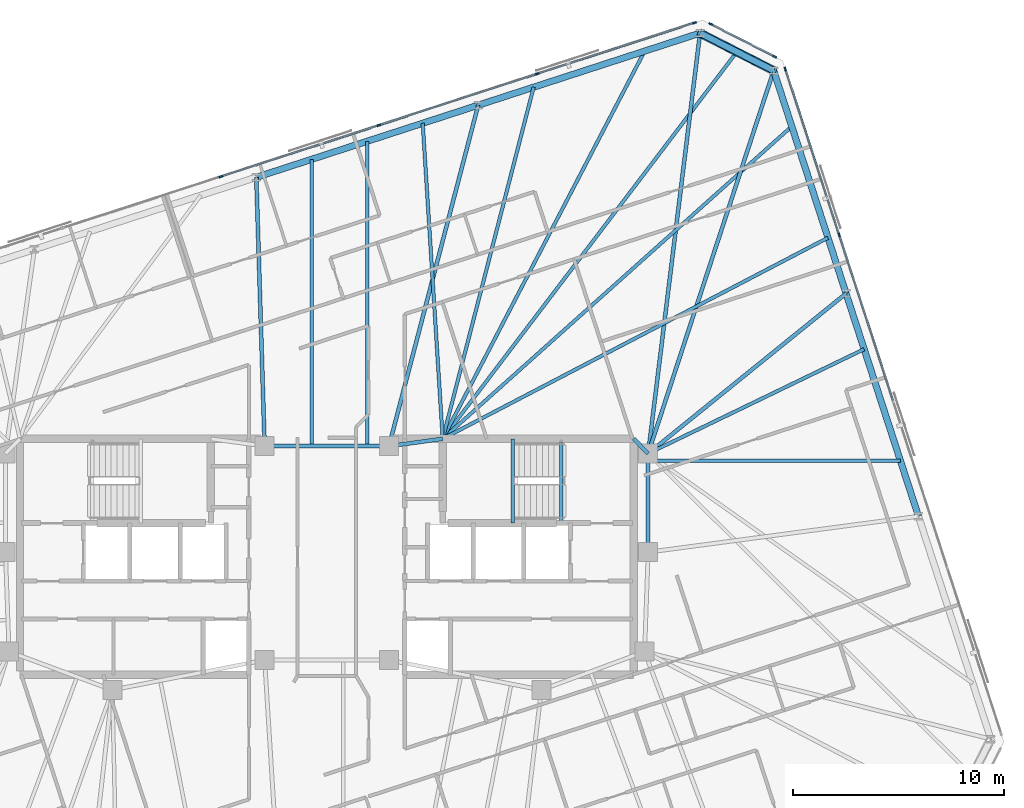
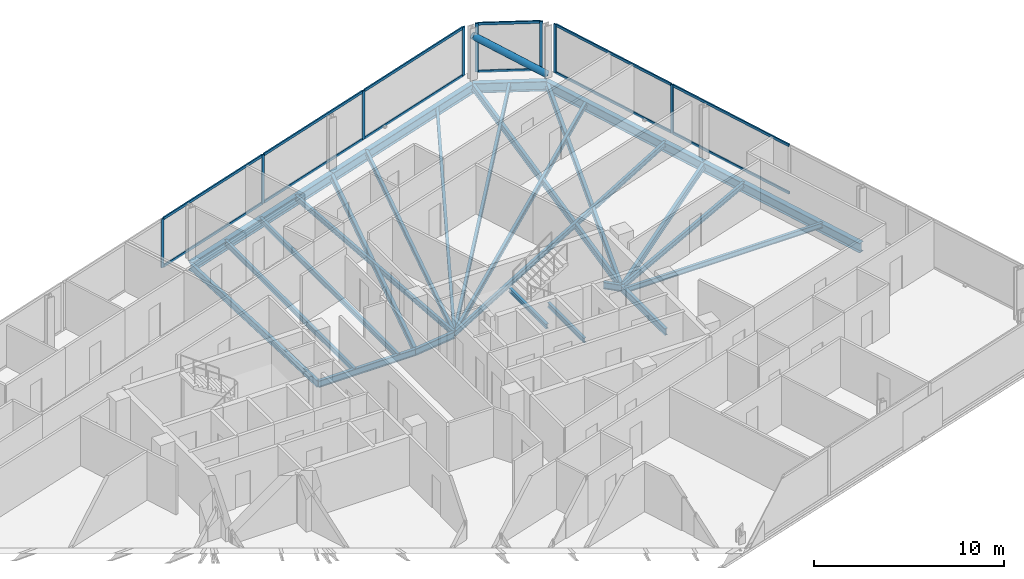
# One storey, part 10 of 20: 26 beams, 21 members, 3 elements without a shape of their own.
"""IFC4 building model written with IfcOpenShell, lengths in metres."""

import ifcopenshell
import ifcopenshell.guid

model = None  # the IFC model being written
_history = None  # IfcOwnerHistory: only IFC2X3 demands one
_inside = {}  # id of a spatial element -> (the spatial element, [elements in it])
_under = {}  # id of a project, library or spatial element -> (it, [spatial elements below it])
_declared = {}  # id of a project -> (the project, [libraries it declares])
_typed = {}  # id of a type object -> (the type object, [elements of that type])
_made_of = {}  # id of a material, layer set ... -> (it, [elements and type objects made of it])


def new_model(schema):
    """Start an empty IFC model of exactly this schema.

    Asked for "IFC4X3", IfcOpenShell would pick the latest addendum, in which some entities
    have other attributes; the version numbers below select the first issue.
    IFC2X3 requires an IfcOwnerHistory on every rooted entity: one is made here for all.
    """
    global model, _history
    if schema == "IFC4X3":
        model = ifcopenshell.file(schema_version=(4, 3, 0, 0))
    else:
        model = ifcopenshell.file(schema=schema)
    _inside.clear()
    _under.clear()
    _declared.clear()
    _typed.clear()
    _made_of.clear()
    _history = None
    if model.schema == "IFC2X3":
        org = make("IfcOrganization", Name="unknown")
        user = make(
            "IfcPersonAndOrganization",
            ThePerson=make("IfcPerson", FamilyName="unknown"),
            TheOrganization=org,
        )
        app = make(
            "IfcApplication",
            ApplicationDeveloper=org,
            Version="unknown",
            ApplicationFullName="unknown",
            ApplicationIdentifier="unknown",
        )
        _history = make(
            "IfcOwnerHistory",
            OwningUser=user,
            OwningApplication=app,
            ChangeAction="ADDED",
            CreationDate=0,
        )
    return model


def make(cls, **values):
    """One entity of the class cls with the attributes given. An attribute that is None is left unset."""
    return model.create_entity(
        cls, **{name: value for name, value in values.items() if value is not None}
    )


def rooted(cls, **values):
    """An entity with a GlobalId (a new one), such as an element, a storey or a relation."""
    return make(cls, GlobalId=ifcopenshell.guid.new(), OwnerHistory=_history, **values)


def si_unit(unit_type, name, prefix=None):
    """IfcSIUnit, for example si_unit("LENGTHUNIT", "METRE", prefix="MILLI")."""
    return make("IfcSIUnit", UnitType=unit_type, Prefix=prefix, Name=name)


def assignment(units):
    """IfcUnitAssignment: the units of a project."""
    return None if units is None else make("IfcUnitAssignment", Units=units)


def point(xyz):
    """IfcCartesianPoint."""
    return None if xyz is None else make("IfcCartesianPoint", Coordinates=xyz)


def direction(xyz):
    """IfcDirection."""
    return None if xyz is None else make("IfcDirection", DirectionRatios=xyz)


def frame(location, z_axis=None, x_axis=None):
    """IfcAxis2Placement3D, a coordinate frame: its origin and axes. An axis left out is left unset."""
    return make(
        "IfcAxis2Placement3D",
        Location=point(location),
        Axis=direction(z_axis),
        RefDirection=direction(x_axis),
    )


def frame_2d(location, x_axis=None):
    """IfcAxis2Placement2D, a coordinate frame in the plane: its origin and x axis."""
    return make(
        "IfcAxis2Placement2D", Location=point(location), RefDirection=direction(x_axis)
    )


def origin():
    """The frame at (0, 0, 0) with its axes left unset."""
    return frame((0.0, 0.0, 0.0))


def origin_2d():
    """The frame at (0, 0) in the plane with its x axis left unset."""
    return frame_2d((0.0, 0.0))


def place(relative_to, where):
    """IfcLocalPlacement: puts the frame where relative to a parent placement (None: the world)."""
    return make(
        "IfcLocalPlacement", PlacementRelTo=relative_to, RelativePlacement=where
    )


def context(
    kind, dimensions, precision=None, world=None, true_north=None, identifier=None
):
    """IfcGeometricRepresentationContext, for example the 3D "Model" context."""
    return make(
        "IfcGeometricRepresentationContext",
        ContextIdentifier=identifier,
        ContextType=kind,
        CoordinateSpaceDimension=dimensions,
        Precision=precision,
        WorldCoordinateSystem=world,
        TrueNorth=true_north,
    )


def subcontext(parent, identifier, kind, view, scale=None):
    """IfcGeometricRepresentationSubContext, for example "Body" below "Model"."""
    return make(
        "IfcGeometricRepresentationSubContext",
        ContextIdentifier=identifier,
        ContextType=kind,
        ParentContext=parent,
        TargetScale=scale,
        TargetView=view,
    )


def project(units=None, contexts=None):
    """IfcProject with its units and contexts."""
    return rooted(
        "IfcProject",
        Name="project",
        RepresentationContexts=contexts,
        UnitsInContext=assignment(units),
    )


def spatial(cls, under=None, at=None, **own):
    """A site, building, storey or space (cls), placed at a placement, below another one or the project."""
    s = rooted(cls, ObjectPlacement=at, **own)
    if under is not None:
        _under.setdefault(under.id(), (under, []))[1].append(s)
    return s


def profile(cls, at=None, kind="AREA", **sizes):
    """A parametric profile (cls). Its sizes go by their IFC names, for example OverallWidth=200.0."""
    return make(cls, ProfileType=kind, Position=at, **sizes)


def rectangle(**sizes):
    """IfcRectangleProfileDef."""
    return profile("IfcRectangleProfileDef", **sizes)


def hollow_circle(**sizes):
    """IfcCircleHollowProfileDef."""
    return profile("IfcCircleHollowProfileDef", **sizes)


def i_section(**sizes):
    """IfcIShapeProfileDef."""
    return profile("IfcIShapeProfileDef", **sizes)


def extrude(swept, where, along, depth):
    """IfcExtrudedAreaSolid: the profile swept, set in the frame where, extruded along a direction by depth."""
    return make(
        "IfcExtrudedAreaSolid",
        SweptArea=swept,
        Position=where,
        ExtrudedDirection=direction(along),
        Depth=depth,
    )


def shape(context_of_items, identifier, shape_type, items):
    """IfcShapeRepresentation: the items that make up one representation, for example the "Body"."""
    return make(
        "IfcShapeRepresentation",
        ContextOfItems=context_of_items,
        RepresentationIdentifier=identifier,
        RepresentationType=shape_type,
        Items=items,
    )


def material(Name=None, Category=None):
    """IfcMaterial."""
    return make("IfcMaterial", Name=Name, Category=Category)


def material_profile(
    of_material, cross_section, Name=None, Category=None, Priority=None
):
    """IfcMaterialProfile: a cross section and its material."""
    return make(
        "IfcMaterialProfile",
        Name=Name,
        Material=of_material,
        Profile=cross_section,
        Priority=Priority,
        Category=Category,
    )


def profile_set(profiles, Name=None, composite=None):
    """IfcMaterialProfileSet."""
    return make(
        "IfcMaterialProfileSet",
        Name=Name,
        MaterialProfiles=profiles,
        CompositeProfile=composite,
    )


def made_of(thing, what):
    """Note that an element or type object is made of a material, layer set ...; save() writes the relation."""
    if what is not None:
        _made_of.setdefault(what.id(), (what, []))[1].append(thing)
    return thing


def type_object(cls, material=None, **own):
    """A type object (cls), such as IfcWallType, which elements share."""
    return made_of(rooted(cls, **own), material)


def element(
    cls,
    number,
    at=None,
    inside=None,
    cuts=None,
    type_object=None,
    material=None,
    context=None,
    identifier="Body",
    shape_type=None,
    held_by="IfcProductDefinitionShape",
    body=None,
    shapes=None,
    **own,
):
    """One element of the class cls, such as IfcWall. Its Tag is "e" and its number.

    at: its placement. inside: the storey or other place that contains it. cuts: it is an
    opening in that element (IfcRelVoidsElement). A single representation is given by context,
    identifier, shape_type and body (its items); several are given by shapes. held_by: the class
    of the entity that holds the representations. save() writes the other relations.
    """
    e = rooted(cls, Tag="e%d" % number, ObjectPlacement=at, **own)
    if body is not None:
        shapes = [shape(context, identifier, shape_type, body)]
    if shapes is not None:
        e.Representation = make(held_by, Representations=shapes)
    if inside is not None:
        _inside.setdefault(inside.id(), (inside, []))[1].append(e)
    if cuts is not None:
        rooted(
            "IfcRelVoidsElement", RelatingBuildingElement=cuts, RelatedOpeningElement=e
        )
    if type_object is not None:
        _typed.setdefault(type_object.id(), (type_object, []))[1].append(e)
    return made_of(e, material)


def aggregate(whole, parts):
    """IfcRelAggregates: a whole, such as a stair, and the parts it consists of."""
    return rooted("IfcRelAggregates", RelatingObject=whole, RelatedObjects=parts)


def save(model, path):
    """Write the relations noted so far, then the file.

    IfcRelAggregates (storeys below a building ...), IfcRelContainedInSpatialStructure (elements
    in a storey), IfcRelDefinesByType, IfcRelAssociatesMaterial and IfcRelDeclares: one each for
    every whole, place, type object, material and project.
    """
    for whole, parts in _under.values():
        aggregate(whole, parts)
    for where, things in _inside.values():
        rooted(
            "IfcRelContainedInSpatialStructure",
            RelatedElements=things,
            RelatingStructure=where,
        )
    for kind, things in _typed.values():
        rooted("IfcRelDefinesByType", RelatedObjects=things, RelatingType=kind)
    for what, things in _made_of.values():
        rooted("IfcRelAssociatesMaterial", RelatedObjects=things, RelatingMaterial=what)
    for by, libraries in _declared.values():
        rooted("IfcRelDeclares", RelatingContext=by, RelatedDefinitions=libraries)
    model.write(path)


model = new_model("IFC4")

# Units and contexts
model_context = context("Model", 3, precision=1e-05, world=origin(), true_north=direction((0.0, 1.0)))
body_context = subcontext(model_context, "Body", "Model", "MODEL_VIEW")
ifc_project = project(units=[si_unit("LENGTHUNIT", "METRE"), si_unit("AREAUNIT", "SQUARE_METRE"), si_unit("VOLUMEUNIT", "CUBIC_METRE"), si_unit("PLANEANGLEUNIT", "RADIAN"), si_unit("MASSUNIT", "GRAM", prefix="KILO")], contexts=[model_context])

# Site, building, storey
site_placement = place(None, origin())
site = spatial("IfcSite", under=ifc_project, at=site_placement, CompositionType="ELEMENT")
building_placement = place(site_placement, origin())
building = spatial("IfcBuilding", under=site, at=building_placement, Name="Menara Jurai Vektor", CompositionType="ELEMENT")
storey_placement = place(building_placement, frame((0.0, 0.0, 247.75)))
storey = spatial("IfcBuildingStorey", under=building, at=storey_placement, Name="L66", CompositionType="ELEMENT", Elevation=247.75)

# Curtain wall, members
ifc_material_1 = material(Name="Anodised Pale Aluminium & Low-E Double Glazing", Category="aluminium")
curtain_wall_type = type_object("IfcCurtainWallType", Name="CW-BLK4", PredefinedType="NOTDEFINED", material=ifc_material_1)
curtain_wall_1_placement = place(storey_placement, origin())
curtain_wall_1 = element("IfcCurtainWall", 1, at=curtain_wall_1_placement, inside=storey, type_object=curtain_wall_type, Name="Unitised Curtain Wall L66 F03", PredefinedType="NOTDEFINED")
ifc_material_2 = material(Name="Anodised Pale Aluminium Mullion", Category="aluminium")
ifc_material_profile_1 = material_profile(ifc_material_2, rectangle(XDim=0.080078125, YDim=0.18994140625, at=origin_2d()), Name="ALU MUL 80x190")
ifc_profile_set_1 = profile_set([ifc_material_profile_1], Name="Anodised Pale Aluminium Mullion")
member_type_1 = type_object("IfcMemberType", Name="CW-BLK4-MUL", PredefinedType="MULLION", material=ifc_profile_set_1)
member_1_placement = place(storey_placement, frame((24.31494140625, 15.28271484375, 0.0), z_axis=(0.0, 0.0, 1.0), x_axis=(-0.95105668295, -0.309016481464, 0.0)))
member_1 = element("IfcMember", 2, at=member_1_placement, type_object=member_type_1, Name="CW-04 mullion 4", PredefinedType="MULLION", context=body_context, shape_type="SweptSolid", body=[
    extrude(rectangle(XDim=0.080078125, YDim=0.18994140625, at=origin_2d()), origin(), (0.0, 0.0, 1.0), 3.125),
])
member_2_placement = place(storey_placement, frame((21.75927734375, 23.14794921875, 0.0), z_axis=(0.0, 0.0, 1.0), x_axis=(-0.95105668295, -0.309016481464, 0.0)))
member_2 = element("IfcMember", 3, at=member_2_placement, type_object=member_type_1, Name="CW-04 mullion 5", PredefinedType="MULLION", context=body_context, shape_type="SweptSolid", body=[
    extrude(rectangle(XDim=0.080078125, YDim=0.18994140625, at=origin_2d()), origin(), (0.0, 0.0, 1.0), 3.125),
])

curtain_wall_2_placement = place(storey_placement, origin())
curtain_wall_2 = element("IfcCurtainWall", 4, at=curtain_wall_2_placement, inside=storey, type_object=curtain_wall_type, Name="Unitised Curtain Wall L66 F04", PredefinedType="NOTDEFINED")
member_3_placement = place(storey_placement, frame((21.25537109375, 23.73828125, 0.0), z_axis=(0.0, 0.0, 1.0), x_axis=(-0.453988579828, -0.89100750243, 0.0)))
member_3 = element("IfcMember", 5, at=member_3_placement, type_object=member_type_1, Name="CW-04 mullion 1", PredefinedType="MULLION", context=body_context, shape_type="SweptSolid", body=[
    extrude(rectangle(XDim=0.080078125, YDim=0.18994140625, at=origin_2d()), origin(), (0.0, 0.0, 1.0), 3.125),
])
member_4_placement = place(storey_placement, frame((18.223388671875, 25.282958984375, 0.0), z_axis=(0.0, 0.0, 1.0), x_axis=(-0.453988579828, -0.89100750243, 0.0)))
member_4 = element("IfcMember", 6, at=member_4_placement, type_object=member_type_1, Name="CW-04 mullion 2", PredefinedType="MULLION", context=body_context, shape_type="SweptSolid", body=[
    extrude(rectangle(XDim=0.080078125, YDim=0.18994140625, at=origin_2d()), origin(), (0.0, 0.0, 1.0), 3.125),
])

curtain_wall_3_placement = place(storey_placement, origin())
curtain_wall_3 = element("IfcCurtainWall", 7, at=curtain_wall_3_placement, inside=storey, type_object=curtain_wall_type, Name="Unitised Curtain Wall L66 F05", PredefinedType="NOTDEFINED")
member_5_placement = place(storey_placement, frame((17.44970703125, 25.34375, 0.0), z_axis=(0.0, 0.0, 1.0), x_axis=(0.309017344167, -0.951056402641, 0.0)))
member_5 = element("IfcMember", 8, at=member_5_placement, type_object=member_type_1, Name="CW-04 mullion 1", PredefinedType="MULLION", context=body_context, shape_type="SweptSolid", body=[
    extrude(rectangle(XDim=0.080078125, YDim=0.18994140625, at=origin_2d()), origin(), (0.0, 0.0, 1.0), 3.125),
])
member_6_placement = place(storey_placement, frame((9.982666015625, 22.917724609375, 0.0), z_axis=(0.0, 0.0, 1.0), x_axis=(0.309017344167, -0.951056402641, 0.0)))
member_6 = element("IfcMember", 9, at=member_6_placement, type_object=member_type_1, Name="CW-04 mullion 2", PredefinedType="MULLION", context=body_context, shape_type="SweptSolid", body=[
    extrude(rectangle(XDim=0.080078125, YDim=0.18994140625, at=origin_2d()), origin(), (0.0, 0.0, 1.0), 3.125),
])
member_7_placement = place(storey_placement, frame((2.4775390625, 20.47900390625, 0.0), z_axis=(0.0, 0.0, 1.0), x_axis=(0.309017344167, -0.951056402641, 0.0)))
member_7 = element("IfcMember", 10, at=member_7_placement, type_object=member_type_1, Name="CW-04 mullion 3", PredefinedType="MULLION", context=body_context, shape_type="SweptSolid", body=[
    extrude(rectangle(XDim=0.080078125, YDim=0.18994140625, at=origin_2d()), origin(), (0.0, 0.0, 1.0), 3.125),
])
member_8_placement = place(storey_placement, frame((-5.02783203125, 18.04052734375, 0.0), z_axis=(0.0, 0.0, 1.0), x_axis=(0.309017344167, -0.951056402641, 0.0)))
member_8 = element("IfcMember", 11, at=member_8_placement, type_object=member_type_1, Name="CW-04 mullion 4", PredefinedType="MULLION", context=body_context, shape_type="SweptSolid", body=[
    extrude(rectangle(XDim=0.080078125, YDim=0.18994140625, at=origin_2d()), origin(), (0.0, 0.0, 1.0), 3.125),
])

# Member
ifc_material_3 = material(Name="Anodised Pale Aluminium Transom", Category="aluminium")
ifc_material_profile_2 = material_profile(ifc_material_3, rectangle(XDim=0.080078125, YDim=0.1650390625, at=origin_2d()), Name="ALU TRN 80x165")
ifc_profile_set_2 = profile_set([ifc_material_profile_2], Name="Anodised Pale Aluminium Transom")
member_type_2 = type_object("IfcMemberType", Name="CW-BLK4-TRN", PredefinedType="USERDEFINED", material=ifc_profile_set_2)
member_9_placement = place(storey_placement, frame((26.870361328125, 7.41748046875, 0.0400390625), z_axis=(-0.309010276303, 0.951058699103, 0.0), x_axis=(-0.951058699103, -0.309010276303, 0.0)))
member_9 = element("IfcMember", 12, at=member_9_placement, type_object=member_type_2, Name="CW-04 transom 3.1", ObjectType="TRANSOM", PredefinedType="USERDEFINED", context=body_context, shape_type="SweptSolid", body=[
    extrude(rectangle(XDim=0.080078125, YDim=0.1650390625, at=origin_2d()), origin(), (0.0, 0.0, 1.0), 8.230224609375),
])

member_10_placement = place(storey_placement, frame((26.870361328125, 7.41748046875, 3.0849609375), z_axis=(-0.309010276303, 0.951058699103, 0.0), x_axis=(-0.951058699103, -0.309010276303, 0.0)))
member_10 = element("IfcMember", 13, at=member_10_placement, type_object=member_type_2, Name="CW-04 transom 3.2", ObjectType="TRANSOM", PredefinedType="USERDEFINED", context=body_context, shape_type="SweptSolid", body=[
    extrude(rectangle(XDim=0.080078125, YDim=0.1650390625, at=origin_2d()), origin(), (0.0, 0.0, 1.0), 8.230224609375),
])

member_11_placement = place(storey_placement, frame((24.302490234375, 15.32080078125, 0.0400390625), z_axis=(-0.309001816839, 0.951061447642, 0.0), x_axis=(-0.951061447642, -0.309001816839, 0.0)))
member_11 = element("IfcMember", 14, at=member_11_placement, type_object=member_type_2, Name="CW-04 transom 4.1", ObjectType="TRANSOM", PredefinedType="USERDEFINED", context=body_context, shape_type="SweptSolid", body=[
    extrude(rectangle(XDim=0.080078125, YDim=0.1650390625, at=origin_2d()), origin(), (0.0, 0.0, 1.0), 8.190185546875),
])

member_12_placement = place(storey_placement, frame((24.302490234375, 15.32080078125, 3.0849609375), z_axis=(-0.309001816839, 0.951061447642, 0.0), x_axis=(-0.951061447642, -0.309001816839, 0.0)))
member_12 = element("IfcMember", 15, at=member_12_placement, type_object=member_type_2, Name="CW-04 transom 4.2", ObjectType="TRANSOM", PredefinedType="USERDEFINED", context=body_context, shape_type="SweptSolid", body=[
    extrude(rectangle(XDim=0.080078125, YDim=0.1650390625, at=origin_2d()), origin(), (0.0, 0.0, 1.0), 8.190185546875),
])

aggregate(curtain_wall_1, [member_1, member_2, member_9, member_10, member_11, member_12])

member_13_placement = place(storey_placement, frame((21.2197265625, 23.75634765625, 0.0400390625), z_axis=(-0.89100697374, 0.453989617444, 0.0), x_axis=(-0.453989617444, -0.89100697374, 0.0)))
member_13 = element("IfcMember", 16, at=member_13_placement, type_object=member_type_2, Name="CW-04 transom 1.1", ObjectType="TRANSOM", PredefinedType="USERDEFINED", context=body_context, shape_type="SweptSolid", body=[
    extrude(rectangle(XDim=0.080078125, YDim=0.1650390625, at=origin_2d()), origin(), (0.0, 0.0, 1.0), 3.32275390625),
])

member_14_placement = place(storey_placement, frame((21.2197265625, 23.75634765625, 3.0849609375), z_axis=(-0.89100697374, 0.453989617444, 0.0), x_axis=(-0.453989617444, -0.89100697374, 0.0)))
member_14 = element("IfcMember", 17, at=member_14_placement, type_object=member_type_2, Name="CW-04 transom 1.2", ObjectType="TRANSOM", PredefinedType="USERDEFINED", context=body_context, shape_type="SweptSolid", body=[
    extrude(rectangle(XDim=0.080078125, YDim=0.1650390625, at=origin_2d()), origin(), (0.0, 0.0, 1.0), 3.32275390625),
])

aggregate(curtain_wall_2, [member_3, member_4, member_13, member_14])

member_15_placement = place(storey_placement, frame((17.41162109375, 25.33154296875, 0.0400390625), z_axis=(-0.951049997348, -0.309037056912, 0.0), x_axis=(0.309037056912, -0.951049997348, 0.0)))
member_15 = element("IfcMember", 18, at=member_15_placement, type_object=member_type_2, Name="CW-04 transom 1.1", ObjectType="TRANSOM", PredefinedType="USERDEFINED", context=body_context, shape_type="SweptSolid", body=[
    extrude(rectangle(XDim=0.080078125, YDim=0.1650390625, at=origin_2d()), origin(), (0.0, 0.0, 1.0), 7.771240234375),
])

member_16_placement = place(storey_placement, frame((17.41162109375, 25.33154296875, 3.0849609375), z_axis=(-0.951049997348, -0.309037056912, 0.0), x_axis=(0.309037056912, -0.951049997348, 0.0)))
member_16 = element("IfcMember", 19, at=member_16_placement, type_object=member_type_2, Name="CW-04 transom 1.2", ObjectType="TRANSOM", PredefinedType="USERDEFINED", context=body_context, shape_type="SweptSolid", body=[
    extrude(rectangle(XDim=0.080078125, YDim=0.1650390625, at=origin_2d()), origin(), (0.0, 0.0, 1.0), 7.771240234375),
])

member_17_placement = place(storey_placement, frame((9.944580078125, 22.9052734375, 0.0400390625), z_axis=(-0.951059330237, -0.309008333817, 0.0), x_axis=(0.309008333817, -0.951059330237, 0.0)))
member_17 = element("IfcMember", 20, at=member_17_placement, type_object=member_type_2, Name="CW-04 transom 2.1", ObjectType="TRANSOM", PredefinedType="USERDEFINED", context=body_context, shape_type="SweptSolid", body=[
    extrude(rectangle(XDim=0.080078125, YDim=0.1650390625, at=origin_2d()), origin(), (0.0, 0.0, 1.0), 7.8115234375),
])

member_18_placement = place(storey_placement, frame((9.944580078125, 22.9052734375, 3.0849609375), z_axis=(-0.951059330237, -0.309008333817, 0.0), x_axis=(0.309008333817, -0.951059330237, 0.0)))
member_18 = element("IfcMember", 21, at=member_18_placement, type_object=member_type_2, Name="CW-04 transom 2.2", ObjectType="TRANSOM", PredefinedType="USERDEFINED", context=body_context, shape_type="SweptSolid", body=[
    extrude(rectangle(XDim=0.080078125, YDim=0.1650390625, at=origin_2d()), origin(), (0.0, 0.0, 1.0), 7.8115234375),
])

member_19_placement = place(storey_placement, frame((2.439453125, 20.466552734375, 0.0400390625), z_axis=(-0.951059330237, -0.309008333817, 0.0), x_axis=(0.309008333817, -0.951059330237, 0.0)))
member_19 = element("IfcMember", 22, at=member_19_placement, type_object=member_type_2, Name="CW-04 transom 3.1", ObjectType="TRANSOM", PredefinedType="USERDEFINED", context=body_context, shape_type="SweptSolid", body=[
    extrude(rectangle(XDim=0.080078125, YDim=0.1650390625, at=origin_2d()), origin(), (0.0, 0.0, 1.0), 7.8115234375),
])

member_20_placement = place(storey_placement, frame((2.439453125, 20.466552734375, 3.0849609375), z_axis=(-0.951059330237, -0.309008333817, 0.0), x_axis=(0.309008333817, -0.951059330237, 0.0)))
member_20 = element("IfcMember", 23, at=member_20_placement, type_object=member_type_2, Name="CW-04 transom 3.2", ObjectType="TRANSOM", PredefinedType="USERDEFINED", context=body_context, shape_type="SweptSolid", body=[
    extrude(rectangle(XDim=0.080078125, YDim=0.1650390625, at=origin_2d()), origin(), (0.0, 0.0, 1.0), 7.8115234375),
])

aggregate(curtain_wall_3, [member_5, member_6, member_7, member_8, member_15, member_16, member_17, member_18, member_19, member_20])

# Beams
ifc_material_4 = material(Name="Steel S355", Category="steel")
ifc_material_profile_3 = material_profile(ifc_material_4, i_section(OverallWidth=0.18505859375, OverallDepth=0.429931640625, WebThickness=0.010986328125, FlangeThickness=0.01806640625, at=origin_2d()), Name="PG 430x185x76")
ifc_profile_set_3 = profile_set([ifc_material_profile_3], Name="Steel S355")
beam_type_1 = type_object("IfcBeamType", Name="STR-BM-430", PredefinedType="BEAM", material=ifc_profile_set_3)
beam_1_placement = place(storey_placement, frame((2.949951171875, 5.25, -0.43994140625), z_axis=(0.990706818608, 0.136014703483, 0.0), x_axis=(-0.136014703483, 0.990706818608, 0.0)))
element("IfcBeam", 24, at=beam_1_placement, inside=storey, type_object=beam_type_1, Name="Core Ring Header Girder L66-CHE-N1", PredefinedType="BEAM", context=body_context, shape_type="SweptSolid", body=[
    extrude(i_section(OverallWidth=0.18505859375, OverallDepth=0.429931640625, WebThickness=0.010986328125, FlangeThickness=0.01806640625, at=origin_2d()), origin(), (0.0, 0.0, 1.0), 2.573974609375),
])
beam_2_placement = place(storey_placement, frame((14.56005859375, 5.60009765625, -0.43994140625), z_axis=(0.701871936926, -0.712303154672, 0.0), x_axis=(0.712303154672, 0.701871936926, 0.0)))
element("IfcBeam", 25, at=beam_2_placement, inside=storey, type_object=beam_type_1, Name="Core Ring Header Girder L66-CHE-N2", PredefinedType="BEAM", context=body_context, shape_type="SweptSolid", body=[
    extrude(i_section(OverallWidth=0.18505859375, OverallDepth=0.429931640625, WebThickness=0.010986328125, FlangeThickness=0.01806640625, at=origin_2d()), origin(), (0.0, 0.0, 1.0), 0.98291015625),
])
beam_3_placement = place(storey_placement, frame((15.25, 0.219970703125, -0.43994140625), z_axis=(0.0, 1.0, 0.0), x_axis=(-1.0, 0.0, 0.0)))
element("IfcBeam", 26, at=beam_3_placement, inside=storey, type_object=beam_type_1, Name="Core Ring Header Girder L66-CHE-E1", PredefinedType="BEAM", context=body_context, shape_type="SweptSolid", body=[
    extrude(i_section(OverallWidth=0.18505859375, OverallDepth=0.429931640625, WebThickness=0.010986328125, FlangeThickness=0.01806640625, at=origin_2d()), origin(), (0.0, 0.0, 1.0), 4.679931640625),
])
beam_4_placement = place(storey_placement, frame((-2.949951171875, 5.25, -0.43994140625), z_axis=(1.0, 0.0, 0.0), x_axis=(0.0, 1.0, 0.0)))
element("IfcBeam", 27, at=beam_4_placement, inside=storey, type_object=beam_type_1, Name="Core Ring Header Girder L66-CC-2", PredefinedType="BEAM", context=body_context, shape_type="SweptSolid", body=[
    extrude(i_section(OverallWidth=0.18505859375, OverallDepth=0.429931640625, WebThickness=0.010986328125, FlangeThickness=0.01806640625, at=origin_2d()), origin(), (0.0, 0.0, 1.0), 5.89990234375),
])
beam_5_placement = place(storey_placement, frame((24.641845703125, 12.496826171875, -0.43994140625), z_axis=(-0.777487674144, -0.628898176619, 0.0), x_axis=(0.628898176619, -0.777487674144, 0.0)))
element("IfcBeam", 28, at=beam_5_placement, inside=storey, type_object=beam_type_1, Name="Radial Floor Girder L66-E3", PredefinedType="BEAM", context=body_context, shape_type="SweptSolid", body=[
    extrude(i_section(OverallWidth=0.18505859375, OverallDepth=0.429931640625, WebThickness=0.010986328125, FlangeThickness=0.01806640625, at=origin_2d()), origin(), (0.0, 0.0, 1.0), 12.079833984375),
])
beam_6_placement = place(storey_placement, frame((21.205810546875, 23.071044921875, -0.43994140625), z_axis=(-0.311459010005, -0.950259588263, 0.0), x_axis=(0.950259588263, -0.311459010005, 0.0)))
element("IfcBeam", 29, at=beam_6_placement, inside=storey, type_object=beam_type_1, Name="Radial Floor Girder L66-E4", PredefinedType="BEAM", context=body_context, shape_type="SweptSolid", body=[
    extrude(i_section(OverallWidth=0.18505859375, OverallDepth=0.429931640625, WebThickness=0.010986328125, FlangeThickness=0.01806640625, at=origin_2d()), origin(), (0.0, 0.0, 1.0), 19.122314453125),
])
beam_7_placement = place(storey_placement, frame((17.712890625, 24.85107421875, -0.43994140625), z_axis=(-0.122515938756, -0.99246654591, 0.0), x_axis=(0.99246654591, -0.122515938756, 0.0)))
element("IfcBeam", 30, at=beam_7_placement, inside=storey, type_object=beam_type_1, Name="Radial Floor Girder L66-N1", PredefinedType="BEAM", context=body_context, shape_type="SweptSolid", body=[
    extrude(i_section(OverallWidth=0.18505859375, OverallDepth=0.429931640625, WebThickness=0.010986328125, FlangeThickness=0.01806640625, at=origin_2d()), origin(), (0.0, 0.0, 1.0), 20.1025390625),
])
beam_8_placement = place(storey_placement, frame((7.18359375, 21.4296875, -0.43994140625), z_axis=(-0.253141463003, -0.96742927375, 0.0), x_axis=(0.96742927375, -0.253141463003, 0.0)))
element("IfcBeam", 31, at=beam_8_placement, inside=storey, type_object=beam_type_1, Name="Radial Floor Girder L66-N2", PredefinedType="BEAM", context=body_context, shape_type="SweptSolid", body=[
    extrude(i_section(OverallWidth=0.18505859375, OverallDepth=0.429931640625, WebThickness=0.010986328125, FlangeThickness=0.01806640625, at=origin_2d()), origin(), (0.0, 0.0, 1.0), 16.724365234375),
])
beam_9_placement = place(storey_placement, frame((-3.345703125, 18.008544921875, -0.43994140625), z_axis=(0.031003668991, -0.999519270704, 0.0), x_axis=(0.999519270704, 0.031003668991, 0.0)))
element("IfcBeam", 32, at=beam_9_placement, inside=storey, type_object=beam_type_1, Name="Radial Floor Girder L66-N3", PredefinedType="BEAM", context=body_context, shape_type="SweptSolid", body=[
    extrude(i_section(OverallWidth=0.18505859375, OverallDepth=0.429931640625, WebThickness=0.010986328125, FlangeThickness=0.01806640625, at=origin_2d()), origin(), (0.0, 0.0, 1.0), 12.7646484375),
])

# Member
ifc_material_5 = material(Name="Steel S460", Category="steel")
ifc_material_profile_4 = material_profile(ifc_material_5, hollow_circle(Radius=0.203125, WallThickness=0.01611328125, at=origin_2d()), Name="CHS 406.4x16")
ifc_profile_set_4 = profile_set([ifc_material_profile_4], Name="Steel S460")
member_type_3 = type_object("IfcMemberType", Name="STR-BR-406", PredefinedType="BRACE", material=ifc_profile_set_4)
member_21_placement = place(storey_placement, frame((21.2060546875, 23.071044921875, 0.14990234375), z_axis=(-0.740360915323, 0.377269459996, 0.556357321886), x_axis=(-0.454025593397, -0.890988642206, 0.0)))
element("IfcMember", 33, at=member_21_placement, inside=storey, type_object=member_type_3, Name="Exoskeleton Corner Brace L66-2", PredefinedType="BRACE", context=body_context, shape_type="SweptSolid", body=[
    extrude(hollow_circle(Radius=0.203125, WallThickness=0.01611328125, at=origin_2d()), origin(), (0.0, 0.0, 1.0), 4.71826171875),
])

# Beams
ifc_material_profile_5 = material_profile(ifc_material_4, i_section(OverallWidth=0.1650390625, OverallDepth=0.330078125, WebThickness=0.009033203125, FlangeThickness=0.013916015625, at=origin_2d()), Name="PG 330x165x46")
ifc_profile_set_5 = profile_set([ifc_material_profile_5], Name="Steel S355")
beam_type_2 = type_object("IfcBeamType", Name="STR-JS-330", PredefinedType="JOIST", material=ifc_profile_set_5)
beam_10_placement = place(storey_placement, frame((27.218505859375, 4.56591796875, -0.389892578125), z_axis=(-1.0, 0.0, 0.0), x_axis=(0.0, -1.0, 0.0)))
element("IfcBeam", 34, at=beam_10_placement, inside=storey, type_object=beam_type_2, Name="Radial Secondary Floor Joist L66-JS11", PredefinedType="JOIST", context=body_context, shape_type="SweptSolid", body=[
    extrude(i_section(OverallWidth=0.1650390625, OverallDepth=0.330078125, WebThickness=0.009033203125, FlangeThickness=0.013916015625, at=origin_2d()), origin(), (0.0, 0.0, 1.0), 11.968505859375),
])
beam_11_placement = place(storey_placement, frame((25.500732421875, 9.853271484375, -0.389892578125), z_axis=(-0.900388578627, -0.435086666629, 0.0), x_axis=(0.435086666629, -0.900388578627, 0.0)))
element("IfcBeam", 35, at=beam_11_placement, inside=storey, type_object=beam_type_2, Name="Radial Secondary Floor Joist L66-JS12", PredefinedType="JOIST", context=body_context, shape_type="SweptSolid", body=[
    extrude(i_section(OverallWidth=0.1650390625, OverallDepth=0.330078125, WebThickness=0.009033203125, FlangeThickness=0.013916015625, at=origin_2d()), origin(), (0.0, 0.0, 1.0), 11.384765625),
])
beam_12_placement = place(storey_placement, frame((23.78271484375, 15.140380859375, -0.389892578125), z_axis=(-0.886555502614, -0.462622244153, 0.0), x_axis=(0.462622244153, -0.886555502614, 0.0)))
element("IfcBeam", 36, at=beam_12_placement, inside=storey, type_object=beam_type_2, Name="Radial Secondary Floor Joist L66-JS13", PredefinedType="JOIST", context=body_context, shape_type="SweptSolid", body=[
    extrude(i_section(OverallWidth=0.1650390625, OverallDepth=0.330078125, WebThickness=0.009033203125, FlangeThickness=0.013916015625, at=origin_2d()), origin(), (0.0, 0.0, 1.0), 20.6220703125),
])
beam_13_placement = place(storey_placement, frame((22.06494140625, 20.427490234375, -0.389892578125), z_axis=(-0.745104297608, -0.666947963252, 0.0), x_axis=(0.666947963252, -0.745104297608, 0.0)))
element("IfcBeam", 37, at=beam_13_placement, inside=storey, type_object=beam_type_2, Name="Radial Secondary Floor Joist L66-JS14", PredefinedType="JOIST", context=body_context, shape_type="SweptSolid", body=[
    extrude(i_section(OverallWidth=0.1650390625, OverallDepth=0.330078125, WebThickness=0.009033203125, FlangeThickness=0.013916015625, at=origin_2d()), origin(), (0.0, 0.0, 1.0), 22.231689453125),
])
beam_14_placement = place(storey_placement, frame((19.45947265625, 23.9609375, -0.389892578125), z_axis=(-0.605227110118, -0.796052853257, 0.0), x_axis=(0.796052853257, -0.605227110118, 0.0)))
element("IfcBeam", 38, at=beam_14_placement, inside=storey, type_object=beam_type_2, Name="Radial Secondary Floor Joist L66-JS15", PredefinedType="JOIST", context=body_context, shape_type="SweptSolid", body=[
    extrude(i_section(OverallWidth=0.1650390625, OverallDepth=0.330078125, WebThickness=0.009033203125, FlangeThickness=0.013916015625, at=origin_2d()), origin(), (0.0, 0.0, 1.0), 23.06494140625),
])
beam_15_placement = place(storey_placement, frame((15.08056640625, 23.99560546875, -0.389892578125), z_axis=(-0.461918215026, -0.886922523464, 0.0), x_axis=(0.886922523464, -0.461918215026, 0.0)))
element("IfcBeam", 39, at=beam_15_placement, inside=storey, type_object=beam_type_2, Name="Radial Secondary Floor Joist L66-JS16", PredefinedType="JOIST", context=body_context, shape_type="SweptSolid", body=[
    extrude(i_section(OverallWidth=0.1650390625, OverallDepth=0.330078125, WebThickness=0.009033203125, FlangeThickness=0.013916015625, at=origin_2d()), origin(), (0.0, 0.0, 1.0), 20.74072265625),
])
beam_16_placement = place(storey_placement, frame((9.81591796875, 22.28515625, -0.389892578125), z_axis=(-0.250427234151, -0.968135424616, 0.0), x_axis=(0.968135424616, -0.250427234151, 0.0)))
element("IfcBeam", 40, at=beam_16_placement, inside=storey, type_object=beam_type_2, Name="Radial Secondary Floor Joist L66-JS17", PredefinedType="JOIST", context=body_context, shape_type="SweptSolid", body=[
    extrude(i_section(OverallWidth=0.1650390625, OverallDepth=0.330078125, WebThickness=0.009033203125, FlangeThickness=0.013916015625, at=origin_2d()), origin(), (0.0, 0.0, 1.0), 17.234130859375),
])
beam_17_placement = place(storey_placement, frame((4.55126953125, 20.574462890625, -0.389892578125), z_axis=(0.063230194737, -0.997998969175, 0.0), x_axis=(0.997998969175, 0.063230194737, 0.0)))
element("IfcBeam", 41, at=beam_17_placement, inside=storey, type_object=beam_type_2, Name="Radial Secondary Floor Joist L66-JS18", PredefinedType="JOIST", context=body_context, shape_type="SweptSolid", body=[
    extrude(i_section(OverallWidth=0.1650390625, OverallDepth=0.330078125, WebThickness=0.009033203125, FlangeThickness=0.013916015625, at=origin_2d()), origin(), (0.0, 0.0, 1.0), 15.00439453125),
])
beam_18_placement = place(storey_placement, frame((1.9189453125, 19.71923828125, -0.389892578125), z_axis=(0.0, -1.0, 0.0), x_axis=(1.0, 0.0, 0.0)))
element("IfcBeam", 42, at=beam_18_placement, inside=storey, type_object=beam_type_2, Name="Radial Secondary Floor Joist L66-JS19", PredefinedType="JOIST", context=body_context, shape_type="SweptSolid", body=[
    extrude(i_section(OverallWidth=0.1650390625, OverallDepth=0.330078125, WebThickness=0.009033203125, FlangeThickness=0.013916015625, at=origin_2d()), origin(), (0.0, 0.0, 1.0), 14.46923828125),
])
beam_19_placement = place(storey_placement, frame((-0.71337890625, 18.864013671875, -0.389892578125), z_axis=(0.0, -1.0, 0.0), x_axis=(1.0, 0.0, 0.0)))
element("IfcBeam", 43, at=beam_19_placement, inside=storey, type_object=beam_type_2, Name="Radial Secondary Floor Joist L66-JS20", PredefinedType="JOIST", context=body_context, shape_type="SweptSolid", body=[
    extrude(i_section(OverallWidth=0.1650390625, OverallDepth=0.330078125, WebThickness=0.009033203125, FlangeThickness=0.013916015625, at=origin_2d()), origin(), (0.0, 0.0, 1.0), 13.614013671875),
])
ifc_material_profile_6 = material_profile(ifc_material_4, i_section(OverallWidth=0.1650390625, OverallDepth=0.302978515625, WebThickness=0.006103515625, FlangeThickness=0.010009765625, FilletRadius=0.009033203125, at=origin_2d()), Name="UKB 305x165x40")
ifc_profile_set_6 = profile_set([ifc_material_profile_6], Name="Steel S355")
beam_type_3 = type_object("IfcBeamType", Name="STR-LN-305", PredefinedType="LINTEL", material=ifc_profile_set_6)
beam_20_placement = place(storey_placement, frame((11.1201171875, 1.60009765625, -0.37646484375), z_axis=(0.0, 1.0, 0.0), x_axis=(-1.0, 0.0, 0.0)))
element("IfcBeam", 44, at=beam_20_placement, inside=storey, type_object=beam_type_3, Name="Stair Well Floor Trimmer ST2 L66", PredefinedType="LINTEL", context=body_context, shape_type="SweptSolid", body=[
    extrude(i_section(OverallWidth=0.1650390625, OverallDepth=0.302978515625, WebThickness=0.006103515625, FlangeThickness=0.010009765625, FilletRadius=0.009033203125, at=origin_2d()), origin(), (0.0, 0.0, 1.0), 3.81982421875),
])
beam_21_placement = place(storey_placement, frame((8.830078125, 1.60009765625, 1.323486328125), z_axis=(0.0, 1.0, 0.0), x_axis=(-1.0, 0.0, 0.0)))
element("IfcBeam", 45, at=beam_21_placement, inside=storey, type_object=beam_type_3, Name="Stair Half-Landing Nosing Trimmer ST2-1 L66", PredefinedType="LINTEL", context=body_context, shape_type="SweptSolid", body=[
    extrude(i_section(OverallWidth=0.1650390625, OverallDepth=0.302978515625, WebThickness=0.006103515625, FlangeThickness=0.010009765625, FilletRadius=0.009033203125, at=origin_2d()), origin(), (0.0, 0.0, 1.0), 4.0),
])
ifc_material_profile_7 = material_profile(ifc_material_4, i_section(OverallWidth=0.306884765625, OverallDepth=0.6201171875, WebThickness=0.013916015625, FlangeThickness=0.02392578125, FilletRadius=0.01708984375, at=origin_2d()), Name="UKB 610x305x179")
ifc_profile_set_7 = profile_set([ifc_material_profile_7], Name="Steel S355")
beam_type_4 = type_object("IfcBeamType", Name="STR-SP-610", PredefinedType="SPANDREL", material=ifc_profile_set_7)
beam_22_placement = place(storey_placement, frame((28.07763671875, 1.92236328125, -0.534912109375), z_axis=(-0.309012092614, 0.95105810896, 0.0), x_axis=(-0.95105810896, -0.309012092614, 0.0)))
element("IfcBeam", 46, at=beam_22_placement, inside=storey, type_object=beam_type_4, Name="Exoskeleton Spandrel Beam L66-08", PredefinedType="SPANDREL", context=body_context, shape_type="SweptSolid", body=[
    extrude(i_section(OverallWidth=0.306884765625, OverallDepth=0.6201171875, WebThickness=0.013916015625, FlangeThickness=0.02392578125, FilletRadius=0.01708984375, at=origin_2d()), origin(), (0.0, 0.0, 1.0), 11.11865234375),
])
beam_23_placement = place(storey_placement, frame((24.641845703125, 12.496826171875, -0.534912109375), z_axis=(-0.309038407092, 0.951049558615, 0.0), x_axis=(-0.951049558615, -0.309038407092, 0.0)))
element("IfcBeam", 47, at=beam_23_placement, inside=storey, type_object=beam_type_4, Name="Exoskeleton Spandrel Beam L66-09", PredefinedType="SPANDREL", context=body_context, shape_type="SweptSolid", body=[
    extrude(i_section(OverallWidth=0.306884765625, OverallDepth=0.6201171875, WebThickness=0.013916015625, FlangeThickness=0.02392578125, FilletRadius=0.01708984375, at=origin_2d()), origin(), (0.0, 0.0, 1.0), 11.118408203125),
])
beam_24_placement = place(storey_placement, frame((21.205810546875, 23.071044921875, -0.534912109375), z_axis=(-0.890975804423, 0.454050785633, 0.0), x_axis=(-0.454050785633, -0.890975804423, 0.0)))
element("IfcBeam", 48, at=beam_24_placement, inside=storey, type_object=beam_type_4, Name="Exoskeleton Spandrel Beam L66-10", PredefinedType="SPANDREL", context=body_context, shape_type="SweptSolid", body=[
    extrude(i_section(OverallWidth=0.306884765625, OverallDepth=0.6201171875, WebThickness=0.013916015625, FlangeThickness=0.02392578125, FilletRadius=0.01708984375, at=origin_2d()), origin(), (0.0, 0.0, 1.0), 3.92041015625),
])
beam_25_placement = place(storey_placement, frame((17.712890625, 24.85107421875, -0.534912109375), z_axis=(-0.951050920942, -0.309034214572, 0.0), x_axis=(0.309034214572, -0.951050920942, 0.0)))
element("IfcBeam", 49, at=beam_25_placement, inside=storey, type_object=beam_type_4, Name="Exoskeleton Spandrel Beam L66-11", PredefinedType="SPANDREL", context=body_context, shape_type="SweptSolid", body=[
    extrude(i_section(OverallWidth=0.306884765625, OverallDepth=0.6201171875, WebThickness=0.013916015625, FlangeThickness=0.02392578125, FilletRadius=0.01708984375, at=origin_2d()), origin(), (0.0, 0.0, 1.0), 11.0712890625),
])
beam_26_placement = place(storey_placement, frame((7.18359375, 21.4296875, -0.534912109375), z_axis=(-0.951057401967, -0.309014268544, 0.0), x_axis=(0.309014268544, -0.951057401967, 0.0)))
element("IfcBeam", 50, at=beam_26_placement, inside=storey, type_object=beam_type_4, Name="Exoskeleton Spandrel Beam L66-12", PredefinedType="SPANDREL", context=body_context, shape_type="SweptSolid", body=[
    extrude(i_section(OverallWidth=0.306884765625, OverallDepth=0.6201171875, WebThickness=0.013916015625, FlangeThickness=0.02392578125, FilletRadius=0.01708984375, at=origin_2d()), origin(), (0.0, 0.0, 1.0), 11.071044921875),
])

save(model, "model.ifc")
